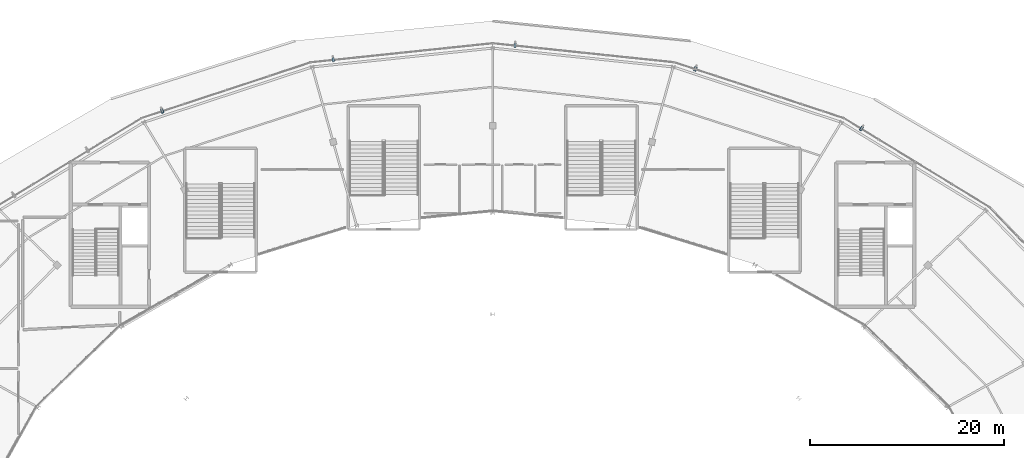
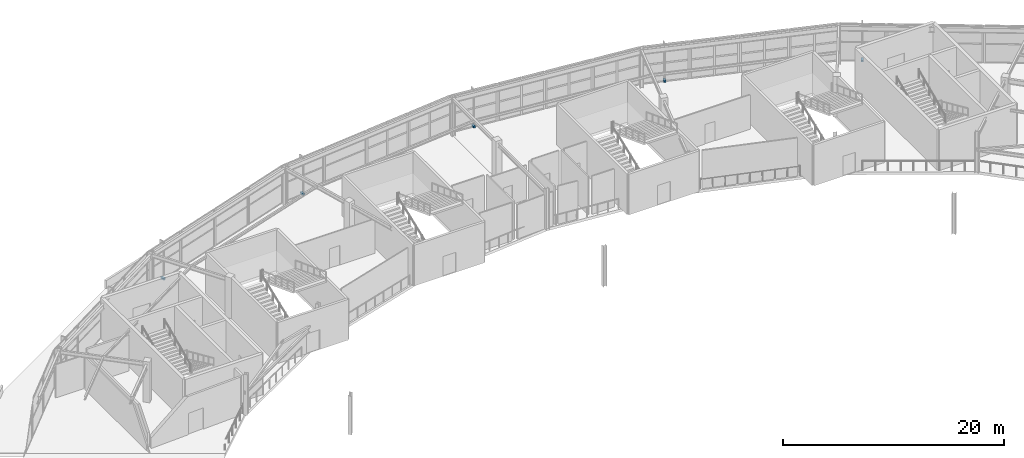
# One storey, part 114 of 126: 5 discrete accessories.
"""IFC4 building model written with IfcOpenShell, lengths in metres."""

from ifc_helpers import new_model, si_unit, direction, frame, origin, origin_2d, place, context, subcontext, project, spatial, rectangle, extrude, material, type_object, element, save


model = new_model("IFC4")

# Units and contexts
model_context = context("Model", 3, precision=1e-05, world=origin(), true_north=direction((0.0, 1.0)))
body_context = subcontext(model_context, "Body", "Model", "MODEL_VIEW")
ifc_project = project(units=[si_unit("LENGTHUNIT", "METRE"), si_unit("AREAUNIT", "SQUARE_METRE"), si_unit("VOLUMEUNIT", "CUBIC_METRE"), si_unit("PLANEANGLEUNIT", "RADIAN"), si_unit("MASSUNIT", "GRAM", prefix="KILO")], contexts=[model_context])

# Site, building, storey
site_placement = place(None, origin())
site = spatial("IfcSite", under=ifc_project, at=site_placement, CompositionType="ELEMENT")
building_placement = place(site_placement, origin())
building = spatial("IfcBuilding", under=site, at=building_placement, Name="Kalgoora Escarpment Arena", CompositionType="ELEMENT")
storey_placement = place(building_placement, frame((0.0, 0.0, 18.89990234375)))
storey = spatial("IfcBuildingStorey", under=building, at=storey_placement, Name="L04", CompositionType="ELEMENT", Elevation=18.89990234375)

# Discrete accessories
ifc_material = material(Name="Structural steel Grade 350 (350 MPa)", Category="steel")
discrete_accessory_type = type_object("IfcDiscreteAccessoryType", Name="ACC-BRACKET-FIN", PredefinedType="BRACKET", material=ifc_material)
for number, where, z_axis, x_axis, name in (
    (1, (58.384033203125, 114.5185546875, 0.0), (0.0, 0.0, 1.0), (-0.312998047948, 0.949753769132, 0.0), "L04 solar fin support bracket 32"),
    (2, (75.9873046875, 119.800537109375, 0.0), (0.0, 0.0, 1.0), (-0.104181303275, 0.994558322095, 0.0), "L04 solar fin support bracket 33"),
    (3, (94.708984375, 121.277587890625, 0.0), (0.0, 0.0, 1.0), (0.104181303275, 0.994558322095, 0.0), "L04 solar fin support bracket 34"),
    (4, (113.2724609375, 118.849853515625, 0.0), (0.0, 0.0, 1.0), (0.312998047948, 0.949753769132, 0.0), "L04 solar fin support bracket 35"),
    (5, (130.372802734375, 112.70703125, 0.0), (0.0, 0.0, 1.0), (0.521009631841, 0.853550797275, 0.0), "L04 solar fin support bracket 36"),
):
    element("IfcDiscreteAccessory", number, at=place(storey_placement, frame(where, z_axis=z_axis, x_axis=x_axis)), inside=storey, type_object=discrete_accessory_type, Name=name, PredefinedType="BRACKET", context=body_context, shape_type="SweptSolid", body=[
        extrude(rectangle(XDim=0.419921875, YDim=0.219970703125, at=origin_2d()), origin(), (0.0, 0.0, 1.0), 0.199951171875),
    ])

save(model, "model.ifc")
